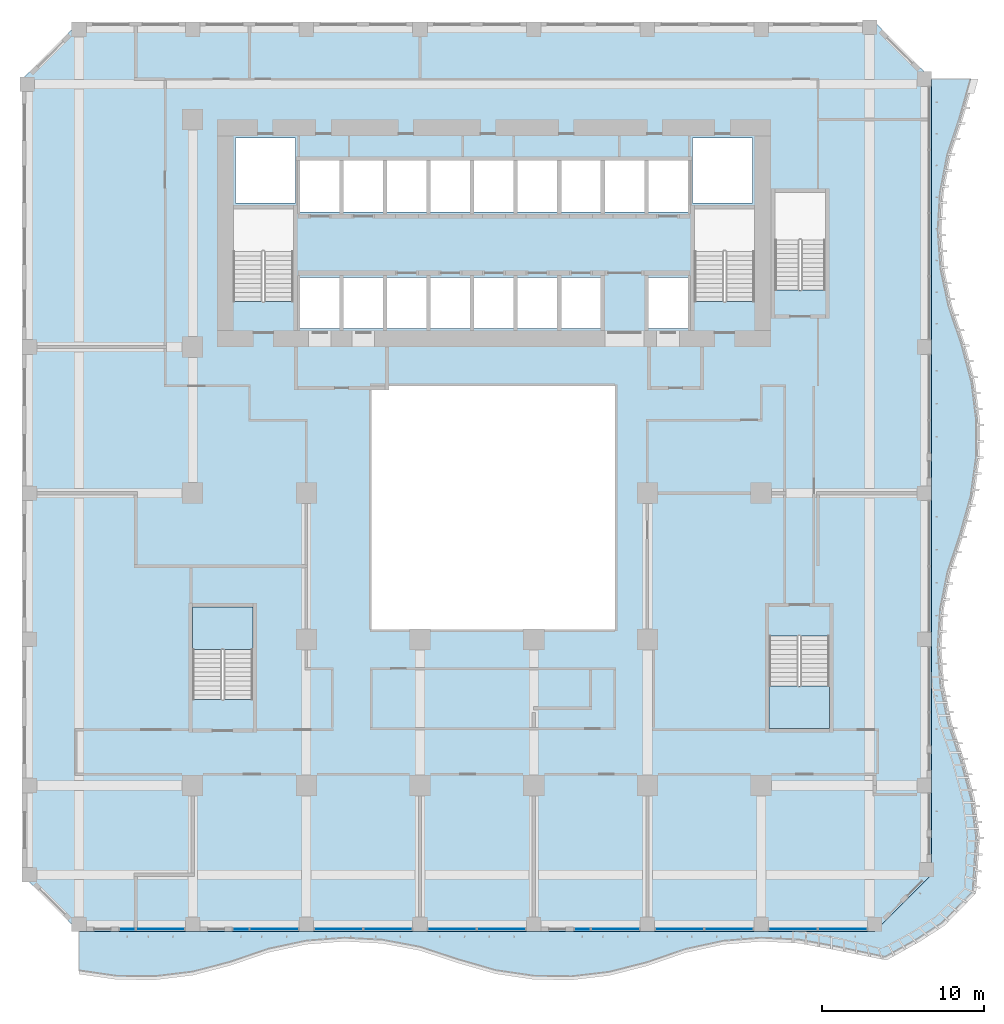
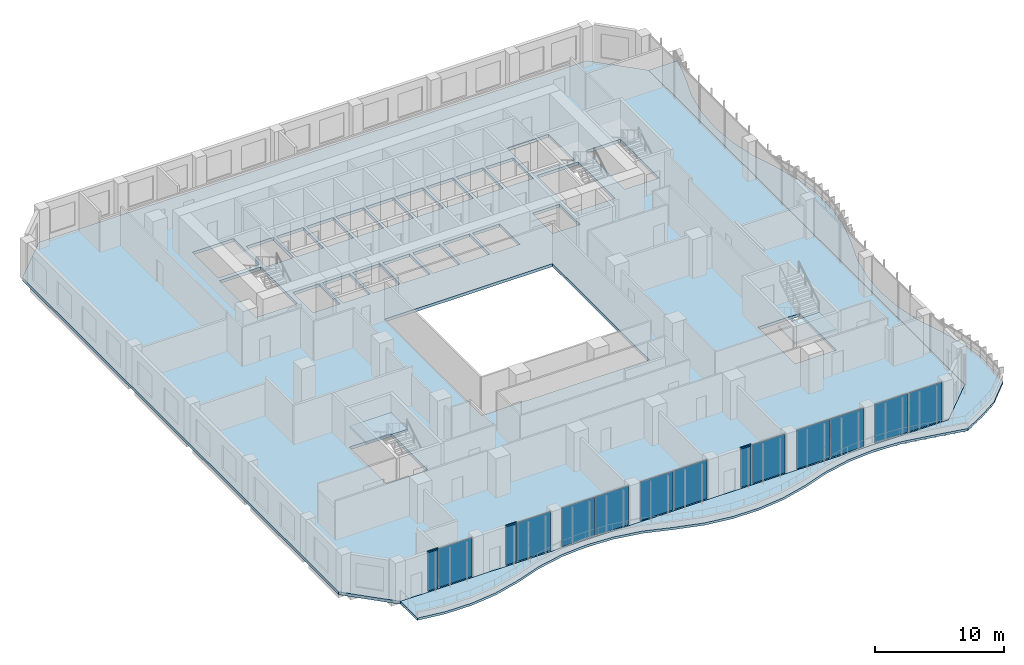
# One storey, part 11 of 27: 14 plates, 4 slabs, 3 members, 16 elements without a shape of their own.
"""IFC4 building model written with IfcOpenShell, lengths in metres."""

from ifc_helpers import new_model, si_unit, direction, frame, origin, origin_2d, place, context, subcontext, project, spatial, polyline, rectangle, outline, extrude, source, transform, mapped, material, layer, layer_set, material_profile, profile_set, type_object, element, aggregate, save


model = new_model("IFC4")

# Units and contexts
model_context = context("Model", 3, precision=1e-05, world=origin(), true_north=direction((0.0, 1.0)))
body_context = subcontext(model_context, "Body", "Model", "MODEL_VIEW")
ifc_project = project(units=[si_unit("LENGTHUNIT", "METRE"), si_unit("AREAUNIT", "SQUARE_METRE"), si_unit("VOLUMEUNIT", "CUBIC_METRE"), si_unit("PLANEANGLEUNIT", "RADIAN"), si_unit("MASSUNIT", "GRAM", prefix="KILO")], contexts=[model_context])

# Site, building, storey
site_placement = place(None, origin())
site = spatial("IfcSite", under=ifc_project, at=site_placement, CompositionType="ELEMENT")
building_placement = place(site_placement, origin())
building = spatial("IfcBuilding", under=site, at=building_placement, Name="Kilnfold Tower and Market Hall", CompositionType="ELEMENT")
storey_placement = place(building_placement, frame((0.0, 0.0, 51.0)))
storey = spatial("IfcBuildingStorey", under=building, at=storey_placement, Name="L11", CompositionType="ELEMENT", Elevation=51.0)

# Curtain wall, member
ifc_material_1 = material(Name="Aluminium and double glazing", Category="aluminium")
curtain_wall_type = type_object("IfcCurtainWallType", Name="CW OF1 VALLEY GLAZING", PredefinedType="NOTDEFINED", material=ifc_material_1)
curtain_wall_1_placement = place(storey_placement, origin())
curtain_wall_1 = element("IfcCurtainWall", 1, at=curtain_wall_1_placement, inside=storey, type_object=curtain_wall_type, Name="Curtain wall CW1 L11 S", PredefinedType="NOTDEFINED")
ifc_material_2 = material(Name="Aluminium", Category="aluminium")
ifc_material_profile = material_profile(ifc_material_2, rectangle(XDim=0.06005859375, YDim=0.139892578125, at=origin_2d()), Name="TRANSOM 60x140")
ifc_profile_set = profile_set([ifc_material_profile], Name="Aluminium")
member_type = type_object("IfcMemberType", Name="TRANSOM 60X140", PredefinedType="USERDEFINED", material=ifc_profile_set)
shared_shape_1 = source(origin(), body_context, "Body", "SweptSolid", [
    extrude(rectangle(XDim=0.06005859375, YDim=0.139892578125, at=origin_2d()), origin(), (0.0, 0.0, 1.0), 0.929931640625),
])
member_1_placement = place(storey_placement, frame((-21.989990234375, -27.85009765625, 3.68994140625), z_axis=(1.0, 0.0, 0.0), x_axis=(0.0, 1.0, 0.0)))
member_1 = element("IfcMember", 2, at=member_1_placement, type_object=member_type, Name="CW1 transom 1.2", ObjectType="TRANSOM", PredefinedType="USERDEFINED", context=body_context, shape_type="MappedRepresentation", body=[
    mapped(shared_shape_1, transform((0.0, 0.0, 0.0))),
])

curtain_wall_2_placement = place(storey_placement, origin())
curtain_wall_2 = element("IfcCurtainWall", 3, at=curtain_wall_2_placement, inside=storey, type_object=curtain_wall_type, Name="Curtain wall CW1 L11 S", PredefinedType="NOTDEFINED")
member_2_placement = place(storey_placement, frame((-14.989990234375, -27.85009765625, 3.68994140625), z_axis=(1.0, 0.0, 0.0), x_axis=(0.0, 1.0, 0.0)))
member_2 = element("IfcMember", 4, at=member_2_placement, type_object=member_type, Name="CW1 transom 1.2", ObjectType="TRANSOM", PredefinedType="USERDEFINED", context=body_context, shape_type="MappedRepresentation", body=[
    mapped(shared_shape_1, transform((0.0, 0.0, 0.0))),
])

curtain_wall_3_placement = place(storey_placement, origin())
curtain_wall_3 = element("IfcCurtainWall", 5, at=curtain_wall_3_placement, inside=storey, type_object=curtain_wall_type, Name="Curtain wall CW1 L11 S", PredefinedType="NOTDEFINED")
member_3_placement = place(storey_placement, frame((6.010009765625, -27.85009765625, 3.68994140625), z_axis=(1.0, 0.0, 0.0), x_axis=(0.0, 1.0, 0.0)))
member_3 = element("IfcMember", 6, at=member_3_placement, type_object=member_type, Name="CW1 transom 1.2", ObjectType="TRANSOM", PredefinedType="USERDEFINED", context=body_context, shape_type="MappedRepresentation", body=[
    mapped(shared_shape_1, transform((0.0, 0.0, 0.0))),
])

# Slab
ifc_material_3 = material(Name="Concrete C45", Category="concrete")
ifc_layer_1 = layer(ifc_material_3, 0.280029296875)
ifc_layer_set_1 = layer_set([ifc_layer_1], Name="Concrete C45")
slab_type_1 = type_object("IfcSlabType", Name="FLOOR SLAB 280", PredefinedType="FLOOR", material=ifc_layer_set_1)
shared_shape_2 = source(origin(), body_context, "Body", "SweptSolid", [
    extrude(outline(polyline([(-24.5, -28.0), (24.5, -28.0), (28.0, -24.5), (28.0, 24.5), (24.5, 28.0), (-24.5, 28.0), (-28.0, 24.5), (-28.0, -24.5), (-24.5, -28.0)]), holes=[polyline([(-13.800537109375, -13.699462890625), (-17.49951171875, -13.699462890625), (-17.49951171875, -8.00048828125), (-13.800537109375, -8.00048828125), (-13.800537109375, -13.699462890625)]), polyline([(-11.300537109375, 10.800537109375), (-14.99951171875, 10.800537109375), (-14.99951171875, 16.49951171875), (-11.300537109375, 16.49951171875), (-11.300537109375, 10.800537109375)]), polyline([(-11.175048828125, 16.875), (-14.875, 16.875), (-14.875, 20.875), (-11.175048828125, 20.875), (-11.175048828125, 16.875)]), polyline([(-10.885009765625, 9.125), (-10.885009765625, 12.27490234375), (-8.455078125, 12.27490234375), (-8.455078125, 9.125), (-10.885009765625, 9.125)]), polyline([(-10.885009765625, 16.324951171875), (-10.885009765625, 19.47509765625), (-8.455078125, 19.47509765625), (-8.455078125, 16.324951171875), (-10.885009765625, 16.324951171875)]), polyline([(-5.77490234375, 9.125), (-8.205078125, 9.125), (-8.205078125, 12.27490234375), (-5.77490234375, 12.27490234375), (-5.77490234375, 9.125)]), polyline([(-8.205078125, 16.324951171875), (-8.205078125, 19.47509765625), (-5.77490234375, 19.47509765625), (-5.77490234375, 16.324951171875), (-8.205078125, 16.324951171875)]), polyline([(-6.5, -9.39990234375), (-6.5, 5.60009765625), (8.5, 5.60009765625), (8.5, -9.39990234375), (-6.5, -9.39990234375)]), polyline([(-5.52490234375, 9.125), (-5.52490234375, 12.27490234375), (-3.094970703125, 12.27490234375), (-3.094970703125, 9.125), (-5.52490234375, 9.125)]), polyline([(-3.094970703125, 16.324951171875), (-5.52490234375, 16.324951171875), (-5.52490234375, 19.47509765625), (-3.094970703125, 19.47509765625), (-3.094970703125, 16.324951171875)]), polyline([(-2.844970703125, 9.125), (-2.844970703125, 12.27490234375), (-0.4150390625, 12.27490234375), (-0.4150390625, 9.125), (-2.844970703125, 9.125)]), polyline([(-2.844970703125, 16.324951171875), (-2.844970703125, 19.47509765625), (-0.4150390625, 19.47509765625), (-0.4150390625, 16.324951171875), (-2.844970703125, 16.324951171875)]), polyline([(-0.1650390625, 9.125), (-0.1650390625, 12.27490234375), (2.264892578125, 12.27490234375), (2.264892578125, 9.125), (-0.1650390625, 9.125)]), polyline([(-0.1650390625, 16.324951171875), (-0.1650390625, 19.47509765625), (2.264892578125, 19.47509765625), (2.264892578125, 16.324951171875), (-0.1650390625, 16.324951171875)]), polyline([(4.945068359375, 9.125), (2.514892578125, 9.125), (2.514892578125, 12.27490234375), (4.945068359375, 12.27490234375), (4.945068359375, 9.125)]), polyline([(2.514892578125, 16.324951171875), (2.514892578125, 19.47509765625), (4.945068359375, 19.47509765625), (4.945068359375, 16.324951171875), (2.514892578125, 16.324951171875)]), polyline([(5.195068359375, 9.125), (5.195068359375, 12.27490234375), (7.625, 12.27490234375), (7.625, 9.125), (5.195068359375, 9.125)]), polyline([(5.195068359375, 16.324951171875), (5.195068359375, 19.47509765625), (7.625, 19.47509765625), (7.625, 16.324951171875), (5.195068359375, 16.324951171875)]), polyline([(7.875, 16.324951171875), (7.875, 19.47509765625), (10.304931640625, 19.47509765625), (10.304931640625, 16.324951171875), (7.875, 16.324951171875)]), polyline([(10.554931640625, 9.125), (10.554931640625, 12.27490234375), (12.985107421875, 12.27490234375), (12.985107421875, 9.125), (10.554931640625, 9.125)]), polyline([(10.554931640625, 16.324951171875), (10.554931640625, 19.47509765625), (12.985107421875, 19.47509765625), (12.985107421875, 16.324951171875), (10.554931640625, 16.324951171875)]), polyline([(13.27490234375, 16.875), (13.27490234375, 20.875), (16.97509765625, 20.875), (16.97509765625, 16.875), (13.27490234375, 16.875)]), polyline([(17.099609375, 10.800537109375), (13.400390625, 10.800537109375), (13.400390625, 16.49951171875), (17.099609375, 16.49951171875), (17.099609375, 10.800537109375)]), polyline([(21.699462890625, -9.800537109375), (21.699462890625, -15.49951171875), (18.00048828125, -15.49951171875), (18.00048828125, -9.800537109375), (21.699462890625, -9.800537109375)]), polyline([(18.3505859375, 11.50048828125), (18.3505859375, 17.49951171875), (21.449462890625, 17.49951171875), (21.449462890625, 11.50048828125), (18.3505859375, 11.50048828125)])]), origin(), (0.0, 0.0, 1.0), 0.280029296875),
])
slab_1_placement = place(storey_placement, frame((0.0, 0.0, -0.280029296875)))
element("IfcSlab", 7, at=slab_1_placement, inside=storey, type_object=slab_type_1, Name="Floor slab L11", PredefinedType="FLOOR", context=body_context, shape_type="MappedRepresentation", body=[
    mapped(shared_shape_2, transform((0.0, 0.0, 0.0))),
])

# Plate
ifc_material_4 = material(Name="Double glazed unit")
ifc_layer_2 = layer(ifc_material_4, 0.031982421875)
ifc_layer_set_2 = layer_set([ifc_layer_2], Name="Double glazed unit")
plate_type = type_object("IfcPlateType", Name="GLAZING PANEL 32", PredefinedType="CURTAIN_PANEL", material=ifc_layer_set_2)
shared_shape_3 = source(origin(), body_context, "Body", "SweptSolid", [
    extrude(rectangle(XDim=0.929931640625, YDim=0.031982421875, at=origin_2d()), origin(), (0.0, 0.0, 1.0), 3.659912109375),
])
plate_1_placement = place(storey_placement, frame((-21.52490234375, -27.85009765625, 0.0), z_axis=(0.0, 0.0, 1.0), x_axis=(1.0, 0.0, 0.0)))
plate_1 = element("IfcPlate", 8, at=plate_1_placement, type_object=plate_type, Name="CW1 panel 1.1", PredefinedType="CURTAIN_PANEL", context=body_context, shape_type="MappedRepresentation", body=[
    mapped(shared_shape_3, transform((0.0, 0.0, 0.0))),
])

aggregate(curtain_wall_1, [member_1, plate_1])

plate_2_placement = place(storey_placement, frame((-14.52490234375, -27.85009765625, 0.0), z_axis=(0.0, 0.0, 1.0), x_axis=(1.0, 0.0, 0.0)))
plate_2 = element("IfcPlate", 9, at=plate_2_placement, type_object=plate_type, Name="CW1 panel 1.1", PredefinedType="CURTAIN_PANEL", context=body_context, shape_type="MappedRepresentation", body=[
    mapped(shared_shape_3, transform((0.0, 0.0, 0.0))),
])

aggregate(curtain_wall_2, [member_2, plate_2])

plate_3_placement = place(storey_placement, frame((6.47509765625, -27.85009765625, 0.0), z_axis=(0.0, 0.0, 1.0), x_axis=(1.0, 0.0, 0.0)))
plate_3 = element("IfcPlate", 10, at=plate_3_placement, type_object=plate_type, Name="CW1 panel 1.1", PredefinedType="CURTAIN_PANEL", context=body_context, shape_type="MappedRepresentation", body=[
    mapped(shared_shape_3, transform((0.0, 0.0, 0.0))),
])

aggregate(curtain_wall_3, [member_3, plate_3])

# Curtain wall, plate
curtain_wall_4_placement = place(storey_placement, origin())
curtain_wall_4 = element("IfcCurtainWall", 11, at=curtain_wall_4_placement, inside=storey, type_object=curtain_wall_type, Name="Curtain wall CW1 L11 S", PredefinedType="NOTDEFINED")
shared_shape_4 = source(origin(), body_context, "Body", "SweptSolid", [
    extrude(rectangle(XDim=2.929931640625, YDim=0.031982421875, at=origin_2d()), origin(), (0.0, 0.0, 1.0), 3.659912109375),
])
plate_4_placement = place(storey_placement, frame((-19.47509765625, -27.85009765625, 0.0), z_axis=(0.0, 0.0, 1.0), x_axis=(1.0, 0.0, 0.0)))
plate_4 = element("IfcPlate", 12, at=plate_4_placement, type_object=plate_type, Name="CW1 panel 1.1", PredefinedType="CURTAIN_PANEL", context=body_context, shape_type="MappedRepresentation", body=[
    mapped(shared_shape_4, transform((0.0, 0.0, 0.0))),
])
aggregate(curtain_wall_4, [plate_4])

curtain_wall_5_placement = place(storey_placement, origin())
curtain_wall_5 = element("IfcCurtainWall", 13, at=curtain_wall_5_placement, inside=storey, type_object=curtain_wall_type, Name="Curtain wall CW1 L11 S", PredefinedType="NOTDEFINED")
plate_5_placement = place(storey_placement, frame((-12.47509765625, -27.85009765625, 0.0), z_axis=(0.0, 0.0, 1.0), x_axis=(1.0, 0.0, 0.0)))
plate_5 = element("IfcPlate", 14, at=plate_5_placement, type_object=plate_type, Name="CW1 panel 1.1", PredefinedType="CURTAIN_PANEL", context=body_context, shape_type="MappedRepresentation", body=[
    mapped(shared_shape_4, transform((0.0, 0.0, 0.0))),
])
aggregate(curtain_wall_5, [plate_5])

curtain_wall_6_placement = place(storey_placement, origin())
curtain_wall_6 = element("IfcCurtainWall", 15, at=curtain_wall_6_placement, inside=storey, type_object=curtain_wall_type, Name="Curtain wall CW1 L11 S", PredefinedType="NOTDEFINED")
plate_6_placement = place(storey_placement, frame((-8.52490234375, -27.85009765625, 0.0), z_axis=(0.0, 0.0, 1.0), x_axis=(1.0, 0.0, 0.0)))
plate_6 = element("IfcPlate", 16, at=plate_6_placement, type_object=plate_type, Name="CW1 panel 1.1", PredefinedType="CURTAIN_PANEL", context=body_context, shape_type="MappedRepresentation", body=[
    mapped(shared_shape_4, transform((0.0, 0.0, 0.0))),
])
aggregate(curtain_wall_6, [plate_6])

curtain_wall_7_placement = place(storey_placement, origin())
curtain_wall_7 = element("IfcCurtainWall", 17, at=curtain_wall_7_placement, inside=storey, type_object=curtain_wall_type, Name="Curtain wall CW1 L11 S", PredefinedType="NOTDEFINED")
plate_7_placement = place(storey_placement, frame((-5.47509765625, -27.85009765625, 0.0), z_axis=(0.0, 0.0, 1.0), x_axis=(1.0, 0.0, 0.0)))
plate_7 = element("IfcPlate", 18, at=plate_7_placement, type_object=plate_type, Name="CW1 panel 1.1", PredefinedType="CURTAIN_PANEL", context=body_context, shape_type="MappedRepresentation", body=[
    mapped(shared_shape_4, transform((0.0, 0.0, 0.0))),
])
aggregate(curtain_wall_7, [plate_7])

curtain_wall_8_placement = place(storey_placement, origin())
curtain_wall_8 = element("IfcCurtainWall", 19, at=curtain_wall_8_placement, inside=storey, type_object=curtain_wall_type, Name="Curtain wall CW1 L11 S", PredefinedType="NOTDEFINED")
plate_8_placement = place(storey_placement, frame((-1.52490234375, -27.85009765625, 0.0), z_axis=(0.0, 0.0, 1.0), x_axis=(1.0, 0.0, 0.0)))
plate_8 = element("IfcPlate", 20, at=plate_8_placement, type_object=plate_type, Name="CW1 panel 1.1", PredefinedType="CURTAIN_PANEL", context=body_context, shape_type="MappedRepresentation", body=[
    mapped(shared_shape_4, transform((0.0, 0.0, 0.0))),
])
aggregate(curtain_wall_8, [plate_8])

curtain_wall_9_placement = place(storey_placement, origin())
curtain_wall_9 = element("IfcCurtainWall", 21, at=curtain_wall_9_placement, inside=storey, type_object=curtain_wall_type, Name="Curtain wall CW1 L11 S", PredefinedType="NOTDEFINED")
plate_9_placement = place(storey_placement, frame((1.52490234375, -27.85009765625, 0.0), z_axis=(0.0, 0.0, 1.0), x_axis=(1.0, 0.0, 0.0)))
plate_9 = element("IfcPlate", 22, at=plate_9_placement, type_object=plate_type, Name="CW1 panel 1.1", PredefinedType="CURTAIN_PANEL", context=body_context, shape_type="MappedRepresentation", body=[
    mapped(shared_shape_4, transform((0.0, 0.0, 0.0))),
])
aggregate(curtain_wall_9, [plate_9])

curtain_wall_10_placement = place(storey_placement, origin())
curtain_wall_10 = element("IfcCurtainWall", 23, at=curtain_wall_10_placement, inside=storey, type_object=curtain_wall_type, Name="Curtain wall CW1 L11 S", PredefinedType="NOTDEFINED")
plate_10_placement = place(storey_placement, frame((8.52490234375, -27.85009765625, 0.0), z_axis=(0.0, 0.0, 1.0), x_axis=(1.0, 0.0, 0.0)))
plate_10 = element("IfcPlate", 24, at=plate_10_placement, type_object=plate_type, Name="CW1 panel 1.1", PredefinedType="CURTAIN_PANEL", context=body_context, shape_type="MappedRepresentation", body=[
    mapped(shared_shape_4, transform((0.0, 0.0, 0.0))),
])
aggregate(curtain_wall_10, [plate_10])

curtain_wall_11_placement = place(storey_placement, origin())
curtain_wall_11 = element("IfcCurtainWall", 25, at=curtain_wall_11_placement, inside=storey, type_object=curtain_wall_type, Name="Curtain wall CW1 L11 S", PredefinedType="NOTDEFINED")
plate_11_placement = place(storey_placement, frame((12.47509765625, -27.85009765625, 0.0), z_axis=(0.0, 0.0, 1.0), x_axis=(1.0, 0.0, 0.0)))
plate_11 = element("IfcPlate", 26, at=plate_11_placement, type_object=plate_type, Name="CW1 panel 1.1", PredefinedType="CURTAIN_PANEL", context=body_context, shape_type="MappedRepresentation", body=[
    mapped(shared_shape_4, transform((0.0, 0.0, 0.0))),
])
aggregate(curtain_wall_11, [plate_11])

curtain_wall_12_placement = place(storey_placement, origin())
curtain_wall_12 = element("IfcCurtainWall", 27, at=curtain_wall_12_placement, inside=storey, type_object=curtain_wall_type, Name="Curtain wall CW1 L11 S", PredefinedType="NOTDEFINED")
plate_12_placement = place(storey_placement, frame((15.52490234375, -27.85009765625, 0.0), z_axis=(0.0, 0.0, 1.0), x_axis=(1.0, 0.0, 0.0)))
plate_12 = element("IfcPlate", 28, at=plate_12_placement, type_object=plate_type, Name="CW1 panel 1.1", PredefinedType="CURTAIN_PANEL", context=body_context, shape_type="MappedRepresentation", body=[
    mapped(shared_shape_4, transform((0.0, 0.0, 0.0))),
])
aggregate(curtain_wall_12, [plate_12])

curtain_wall_13_placement = place(storey_placement, origin())
curtain_wall_13 = element("IfcCurtainWall", 29, at=curtain_wall_13_placement, inside=storey, type_object=curtain_wall_type, Name="Curtain wall CW1 L11 S", PredefinedType="NOTDEFINED")
plate_13_placement = place(storey_placement, frame((19.47509765625, -27.85009765625, 0.0), z_axis=(0.0, 0.0, 1.0), x_axis=(1.0, 0.0, 0.0)))
plate_13 = element("IfcPlate", 30, at=plate_13_placement, type_object=plate_type, Name="CW1 panel 1.1", PredefinedType="CURTAIN_PANEL", context=body_context, shape_type="MappedRepresentation", body=[
    mapped(shared_shape_4, transform((0.0, 0.0, 0.0))),
])
aggregate(curtain_wall_13, [plate_13])

curtain_wall_14_placement = place(storey_placement, origin())
curtain_wall_14 = element("IfcCurtainWall", 31, at=curtain_wall_14_placement, inside=storey, type_object=curtain_wall_type, Name="Curtain wall CW1 L11 S", PredefinedType="NOTDEFINED")
plate_14_placement = place(storey_placement, frame((22.52490234375, -27.85009765625, 0.0), z_axis=(0.0, 0.0, 1.0), x_axis=(1.0, 0.0, 0.0)))
plate_14 = element("IfcPlate", 32, at=plate_14_placement, type_object=plate_type, Name="CW1 panel 1.1", PredefinedType="CURTAIN_PANEL", context=body_context, shape_type="MappedRepresentation", body=[
    mapped(shared_shape_4, transform((0.0, 0.0, 0.0))),
])
aggregate(curtain_wall_14, [plate_14])

# Slab
ifc_material_5 = material(Name="Concrete C40/50", Category="concrete")
ifc_layer_3 = layer(ifc_material_5, 0.219970703125)
ifc_layer_set_3 = layer_set([ifc_layer_3], Name="Concrete C40/50")
slab_type_2 = type_object("IfcSlabType", Name="BALCONY SLAB 220", PredefinedType="FLOOR", material=ifc_layer_set_3)
shared_shape_5 = source(origin(), body_context, "Body", "SweptSolid", [
    extrude(outline(polyline([(-24.5, -28.0), (24.5, -28.0), (28.0, -24.5), (28.0, 24.5), (30.6171875, 24.5), (29.957763671875, 22.166748046875), (29.18310546875, 19.833251953125), (28.735107421875, 17.5), (28.6005859375, 15.166748046875), (28.7724609375, 12.833251953125), (29.259765625, 10.5), (30.05615234375, 8.166748046875), (30.67431640625, 5.833251953125), (30.968505859375, 3.5), (30.95458984375, 1.166748046875), (30.632080078125, -1.166748046875), (29.98291015625, -3.5), (29.201904296875, -5.833251953125), (28.743896484375, -8.166748046875), (28.60009765625, -10.5), (28.7626953125, -12.833251953125), (29.239990234375, -15.166748046875), (30.031982421875, -17.5), (30.660400390625, -19.833251953125), (30.964111328125, -22.166748046875), (30.734130859375, -25.632568359375), (28.79248046875, -27.6259765625), (27.3798828125, -28.546630859375), (25.2294921875, -29.761474609375), (22.166748046875, -29.146728515625), (19.833251953125, -28.71826171875), (17.5, -28.602294921875), (15.166748046875, -28.792724609375), (12.833251953125, -29.2998046875), (10.5, -30.103515625), (8.166748046875, -30.701171875), (5.833251953125, -30.976318359375), (3.5, -30.94384765625), (1.166748046875, -30.602294921875), (-1.166748046875, -29.932373046875), (-3.5, -29.164794921875), (-5.833251953125, -28.7265625), (-8.166748046875, -28.601318359375), (-10.5, -28.782470703125), (-12.833251953125, -29.27978515625), (-15.166748046875, -30.080078125), (-17.5, -30.68798828125), (-19.833251953125, -30.972412109375), (-22.166748046875, -30.949462890625), (-24.5, -30.6171875), (-24.5, -28.0)])), origin(), (0.0, 0.0, 1.0), 0.219970703125),
])
slab_2_placement = place(storey_placement, frame((0.0, 0.0, -0.219970703125)))
element("IfcSlab", 33, at=slab_2_placement, inside=storey, type_object=slab_type_2, Name="Balcony slab L11", PredefinedType="FLOOR", context=body_context, shape_type="MappedRepresentation", body=[
    mapped(shared_shape_5, transform((0.0, 0.0, 0.0))),
])

# Stair, slab
ifc_material_6 = material(Name="Concrete C40/50", Category="concrete")
stair_type = type_object("IfcStairType", Name="CORE STAIR 1800", PredefinedType="HALF_TURN_STAIR", material=ifc_material_6)
stair_1_placement = place(storey_placement, origin())
stair_1 = element("IfcStair", 34, at=stair_1_placement, inside=storey, type_object=stair_type, Name="L11 ST3", PredefinedType="HALF_TURN_STAIR")
ifc_material_7 = material(Name="Concrete C40/50", Category="concrete")
ifc_layer_4 = layer(ifc_material_7, 0.199951171875)
ifc_layer_set_4 = layer_set([ifc_layer_4], Name="Concrete C40/50")
slab_type_3 = type_object("IfcSlabType", Name="CORE STAIR LANDING 200", PredefinedType="LANDING", material=ifc_layer_set_4)
shared_shape_6 = source(origin(), body_context, "Body", "SweptSolid", [
    extrude(outline(polyline([(-13.800048828125, -10.6201171875), (-13.800048828125, -8.0), (-17.5, -8.0), (-17.5, -10.6201171875), (-13.800048828125, -10.6201171875)])), origin(), (0.0, 0.0, 1.0), 0.199951171875),
])
slab_3_placement = place(storey_placement, frame((0.0, 0.0, 1.800048828125)))
slab_3 = element("IfcSlab", 35, at=slab_3_placement, type_object=slab_type_3, Name="ST3 landing 1", PredefinedType="LANDING", context=body_context, shape_type="MappedRepresentation", body=[
    mapped(shared_shape_6, transform((0.0, 0.0, 0.0))),
])
aggregate(stair_1, [slab_3])

stair_2_placement = place(storey_placement, origin())
stair_2 = element("IfcStair", 36, at=stair_2_placement, inside=storey, type_object=stair_type, Name="L11 ST4", PredefinedType="HALF_TURN_STAIR")
shared_shape_7 = source(origin(), body_context, "Body", "SweptSolid", [
    extrude(outline(polyline([(18.0, -12.8798828125), (18.0, -15.5), (21.699951171875, -15.5), (21.699951171875, -12.8798828125), (18.0, -12.8798828125)])), origin(), (0.0, 0.0, 1.0), 0.199951171875),
])
slab_4_placement = place(storey_placement, frame((0.0, 0.0, 1.800048828125)))
slab_4 = element("IfcSlab", 37, at=slab_4_placement, type_object=slab_type_3, Name="ST4 landing 1", PredefinedType="LANDING", context=body_context, shape_type="MappedRepresentation", body=[
    mapped(shared_shape_7, transform((0.0, 0.0, 0.0))),
])
aggregate(stair_2, [slab_4])

save(model, "model.ifc")
